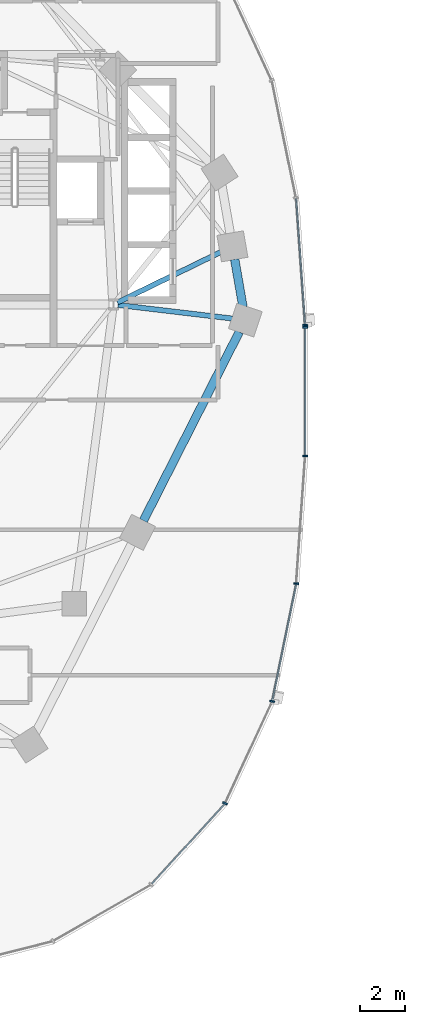
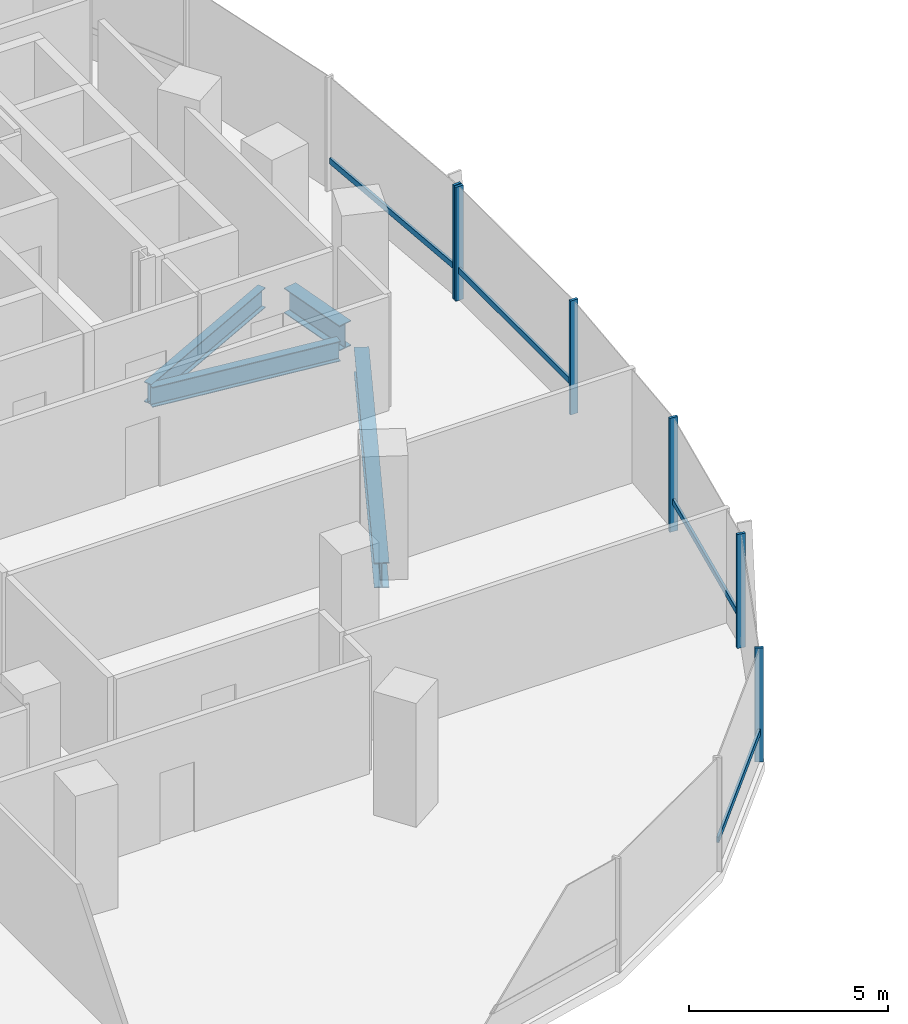
# One storey, part 3 of 22: 10 members, 4 beams, 2 elements without a shape of their own.
"""IFC4 building model written with IfcOpenShell, lengths in metres."""

from ifc_helpers import new_model, si_unit, direction, frame, origin, origin_2d, place, context, subcontext, project, spatial, rectangle, i_section, extrude, material, material_profile, profile_set, type_object, element, aggregate, save


model = new_model("IFC4")

# Units and contexts
model_context = context("Model", 3, precision=1e-05, world=origin(), true_north=direction((0.0, 1.0)))
body_context = subcontext(model_context, "Body", "Model", "MODEL_VIEW")
ifc_project = project(units=[si_unit("LENGTHUNIT", "METRE"), si_unit("AREAUNIT", "SQUARE_METRE"), si_unit("VOLUMEUNIT", "CUBIC_METRE"), si_unit("PLANEANGLEUNIT", "RADIAN"), si_unit("MASSUNIT", "GRAM", prefix="KILO"), si_unit("THERMODYNAMICTEMPERATUREUNIT", "KELVIN"), si_unit("POWERUNIT", "WATT")], contexts=[model_context])

# Site, building, storey
site_placement = place(None, origin())
site = spatial("IfcSite", under=ifc_project, at=site_placement, CompositionType="ELEMENT")
building_placement = place(site_placement, origin())
building = spatial("IfcBuilding", under=site, at=building_placement, Name="Cundina Bronze Exchange", CompositionType="ELEMENT")
storey_placement = place(building_placement, frame((0.0, 0.0, 39.199951171875)))
storey = spatial("IfcBuildingStorey", under=building, at=storey_placement, Name="L09", CompositionType="ELEMENT", Elevation=39.199951171875)

# Beams
ifc_material_1 = material(Name="Steel ASTM A992 Grade 50", Category="steel")
ifc_material_profile_1 = material_profile(ifc_material_1, i_section(OverallWidth=0.22998046875, OverallDepth=0.616943359375, WebThickness=0.01318359375, FlangeThickness=0.022216796875, FilletRadius=0.013916015625, at=origin_2d()), Name="W24X94", Category="steel")
ifc_profile_set_1 = profile_set([ifc_material_profile_1], Name="Steel ASTM A992 Grade 50")
beam_type_1 = type_object("IfcBeamType", Name="BM-FLR-W24B", PredefinedType="BEAM", material=ifc_profile_set_1)
beam_1_placement = place(storey_placement, frame((-21.247314453125, 3.8759765625, -0.6083984375), z_axis=(0.993035236117, -0.117817739878, 0.0), x_axis=(0.117817739878, 0.993035236117, 0.0)))
element("IfcBeam", 1, at=beam_1_placement, inside=storey, type_object=beam_type_1, Name="L09 Leg W Radial Floor Beam 00", PredefinedType="BEAM", context=body_context, shape_type="SweptSolid", body=[
    extrude(i_section(OverallWidth=0.22998046875, OverallDepth=0.616943359375, WebThickness=0.01318359375, FlangeThickness=0.022216796875, FilletRadius=0.013916015625, at=origin_2d()), origin(), (0.0, 0.0, 1.0), 5.1494140625),
])
beam_2_placement = place(storey_placement, frame((-21.2666015625, 3.989501953125, -0.6083984375), z_axis=(0.898610249448, 0.438747785849, 0.0), x_axis=(-0.438747785849, 0.898610249448, 0.0)))
element("IfcBeam", 2, at=beam_2_placement, inside=storey, type_object=beam_type_1, Name="L09 Leg W Radial Floor Beam 01", PredefinedType="BEAM", context=body_context, shape_type="SweptSolid", body=[
    extrude(i_section(OverallWidth=0.22998046875, OverallDepth=0.616943359375, WebThickness=0.01318359375, FlangeThickness=0.022216796875, FilletRadius=0.013916015625, at=origin_2d()), origin(), (0.0, 0.0, 1.0), 5.1337890625),
])
ifc_material_profile_2 = material_profile(ifc_material_1, i_section(OverallWidth=0.381103515625, OverallDepth=0.77294921875, WebThickness=0.0166015625, FlangeThickness=0.027099609375, FilletRadius=0.01904296875, at=origin_2d()), Name="W30X173", Category="steel")
ifc_profile_set_2 = profile_set([ifc_material_profile_2], Name="Steel ASTM A992 Grade 50")
beam_type_2 = type_object("IfcBeamType", Name="BM-RING-W30", PredefinedType="USERDEFINED", material=ifc_profile_set_2)
beam_3_placement = place(storey_placement, frame((-15.65087890625, 3.779296875, -0.6865234375), z_axis=(-0.171734584051, 0.985143254883, 0.0), x_axis=(-0.985143254883, -0.171734584051, 0.0)))
element("IfcBeam", 3, at=beam_3_placement, inside=storey, type_object=beam_type_2, Name="L09 W Perimeter Ring Girder 00", ObjectType="GIRDER", PredefinedType="USERDEFINED", context=body_context, shape_type="SweptSolid", body=[
    extrude(i_section(OverallWidth=0.381103515625, OverallDepth=0.77294921875, WebThickness=0.0166015625, FlangeThickness=0.027099609375, FilletRadius=0.01904296875, at=origin_2d()), origin(), (0.0, 0.0, 1.0), 2.173583984375),
])
beam_4_placement = place(storey_placement, frame((-20.108642578125, -5.775634765625, -0.6865234375), z_axis=(0.452819633606, 0.891602141889, 0.0), x_axis=(-0.891602141889, 0.452819633606, 0.0)))
element("IfcBeam", 4, at=beam_4_placement, inside=storey, type_object=beam_type_2, Name="L09 W Perimeter Ring Girder 13", ObjectType="GIRDER", PredefinedType="USERDEFINED", context=body_context, shape_type="SweptSolid", body=[
    extrude(i_section(OverallWidth=0.381103515625, OverallDepth=0.77294921875, WebThickness=0.0166015625, FlangeThickness=0.027099609375, FilletRadius=0.01904296875, at=origin_2d()), origin(), (0.0, 0.0, 1.0), 9.47900390625),
])

# Curtain wall, member
ifc_material_2 = material(Name="Anodised Bronze Aluminium 6063-T6", Category="aluminium")
curtain_wall_type = type_object("IfcCurtainWallType", Name="CWS-TRD-LOW", PredefinedType="NOTDEFINED", material=ifc_material_2)
curtain_wall_1_placement = place(storey_placement, origin())
curtain_wall_1 = element("IfcCurtainWall", 5, at=curtain_wall_1_placement, inside=storey, type_object=curtain_wall_type, Name="L09 CW-02 Curtain Wall Run CWR-L09-W1", PredefinedType="NOTDEFINED")
ifc_material_profile_3 = material_profile(ifc_material_2, rectangle(XDim=0.074951171875, YDim=0.219970703125, at=origin_2d()), Name="AL75X220", Category="aluminium")
ifc_profile_set_3 = profile_set([ifc_material_profile_3], Name="Anodised Bronze Aluminium 6063-T6")
member_type_1 = type_object("IfcMemberType", Name="CWM-MUL-220", PredefinedType="MULLION", material=ifc_profile_set_3)
member_1_placement = place(storey_placement, frame((-12.87548828125, 2.976318359375, 0.0), z_axis=(0.0, 0.0, 1.0), x_axis=(-0.070278787473, 0.997527389113, 0.0)))
member_1 = element("IfcMember", 6, at=member_1_placement, type_object=member_type_1, Name="CW-02 Mullion 1", PredefinedType="MULLION", context=body_context, shape_type="SweptSolid", body=[
    extrude(rectangle(XDim=0.074951171875, YDim=0.219970703125, at=origin_2d()), origin(), (0.0, 0.0, 1.0), 3.5),
])

# Curtain wall, members
curtain_wall_2_placement = place(storey_placement, origin())
curtain_wall_2 = element("IfcCurtainWall", 7, at=curtain_wall_2_placement, inside=storey, type_object=curtain_wall_type, Name="L09 CW-02 Curtain Wall Run CWR-L09-W4", PredefinedType="NOTDEFINED")
member_2_placement = place(storey_placement, frame((-16.455810546875, -18.423583984375, 0.0), z_axis=(0.0, 0.0, 1.0), x_axis=(0.42087749791, 0.907117485088, 0.0)))
member_2 = element("IfcMember", 8, at=member_2_placement, type_object=member_type_1, Name="CW-02 Mullion 4", PredefinedType="MULLION", context=body_context, shape_type="SweptSolid", body=[
    extrude(rectangle(XDim=0.074951171875, YDim=0.219970703125, at=origin_2d()), origin(), (0.0, 0.0, 1.0), 3.5),
])
member_3_placement = place(storey_placement, frame((-14.348876953125, -13.861328125, 0.0), z_axis=(0.0, 0.0, 1.0), x_axis=(0.201419845156, 0.979505000486, 0.0)))
member_3 = element("IfcMember", 9, at=member_3_placement, type_object=member_type_1, Name="CW-02 Mullion 5", PredefinedType="MULLION", context=body_context, shape_type="SweptSolid", body=[
    extrude(rectangle(XDim=0.074951171875, YDim=0.219970703125, at=origin_2d()), origin(), (0.0, 0.0, 1.0), 3.5),
])
member_4_placement = place(storey_placement, frame((-13.27099609375, -8.591552734375, 0.0), z_axis=(0.0, 0.0, 1.0), x_axis=(0.070278787473, 0.997527389113, 0.0)))
member_4 = element("IfcMember", 10, at=member_4_placement, type_object=member_type_1, Name="CW-02 Mullion 6", PredefinedType="MULLION", context=body_context, shape_type="SweptSolid", body=[
    extrude(rectangle(XDim=0.074951171875, YDim=0.219970703125, at=origin_2d()), origin(), (0.0, 0.0, 1.0), 3.5),
])
member_5_placement = place(storey_placement, frame((-12.8720703125, -2.880615234375, 0.0), z_axis=(0.0, 0.0, 1.0), x_axis=(0.0, 1.0, 0.0)))
member_5 = element("IfcMember", 11, at=member_5_placement, type_object=member_type_1, Name="CW-02 Mullion 7", PredefinedType="MULLION", context=body_context, shape_type="SweptSolid", body=[
    extrude(rectangle(XDim=0.074951171875, YDim=0.219970703125, at=origin_2d()), origin(), (0.0, 0.0, 1.0), 3.5),
])
member_6_placement = place(storey_placement, frame((-12.8720703125, 2.880615234375, 0.0), z_axis=(0.0, 0.0, 1.0), x_axis=(0.0, 1.0, 0.0)))
member_6 = element("IfcMember", 12, at=member_6_placement, type_object=member_type_1, Name="CW-02 End Mullion", PredefinedType="MULLION", context=body_context, shape_type="SweptSolid", body=[
    extrude(rectangle(XDim=0.074951171875, YDim=0.219970703125, at=origin_2d()), origin(), (0.0, 0.0, 1.0), 3.5),
])

# Member
ifc_material_profile_4 = material_profile(ifc_material_2, rectangle(XDim=0.070068359375, YDim=0.179931640625, at=origin_2d()), Name="AL70X180", Category="aluminium")
ifc_profile_set_4 = profile_set([ifc_material_profile_4], Name="Anodised Bronze Aluminium 6063-T6")
member_type_2 = type_object("IfcMemberType", Name="CWM-TRN-180", PredefinedType="USERDEFINED", material=ifc_profile_set_4)
member_7_placement = place(storey_placement, frame((-12.87841796875, 3.017333984375, 0.920166015625), z_axis=(-0.070260714471, 0.997528662246, 0.0), x_axis=(-0.997528662246, -0.070260714471, 0.0)))
member_7 = element("IfcMember", 13, at=member_7_placement, type_object=member_type_2, Name="CW-02 Spandrel Transom 1", ObjectType="TRANSOM", PredefinedType="USERDEFINED", context=body_context, shape_type="SweptSolid", body=[
    extrude(rectangle(XDim=0.070068359375, YDim=0.179931640625, at=origin_2d()), origin(), (0.0, 0.0, 1.0), 5.629150390625),
])

aggregate(curtain_wall_1, [member_1, member_7])

member_8_placement = place(storey_placement, frame((-19.73291015625, -22.027099609375, 0.920166015625), z_axis=(0.674302794847, 0.738454968743, 0.0), x_axis=(-0.738454968743, 0.674302794847, 0.0)))
member_8 = element("IfcMember", 14, at=member_8_placement, type_object=member_type_2, Name="CW-02 Spandrel Transom 3", ObjectType="TRANSOM", PredefinedType="USERDEFINED", context=body_context, shape_type="SweptSolid", body=[
    extrude(rectangle(XDim=0.070068359375, YDim=0.179931640625, at=origin_2d()), origin(), (0.0, 0.0, 1.0), 4.848388671875),
])

member_9_placement = place(storey_placement, frame((-14.340576171875, -13.821044921875, 0.920166015625), z_axis=(0.201427712708, 0.979503382615, 0.0), x_axis=(-0.979503382615, 0.201427712708, 0.0)))
member_9 = element("IfcMember", 15, at=member_9_placement, type_object=member_type_2, Name="CW-02 Spandrel Transom 5", ObjectType="TRANSOM", PredefinedType="USERDEFINED", context=body_context, shape_type="SweptSolid", body=[
    extrude(rectangle(XDim=0.070068359375, YDim=0.179931640625, at=origin_2d()), origin(), (0.0, 0.0, 1.0), 5.291748046875),
])

member_10_placement = place(storey_placement, frame((-12.8720703125, -2.839111328125, 0.920166015625), z_axis=(0.0, 1.0, 0.0), x_axis=(-1.0, 0.0, 0.0)))
member_10 = element("IfcMember", 16, at=member_10_placement, type_object=member_type_2, Name="CW-02 Spandrel Transom 7", ObjectType="TRANSOM", PredefinedType="USERDEFINED", context=body_context, shape_type="SweptSolid", body=[
    extrude(rectangle(XDim=0.070068359375, YDim=0.179931640625, at=origin_2d()), origin(), (0.0, 0.0, 1.0), 5.67822265625),
])

aggregate(curtain_wall_2, [member_8, member_2, member_3, member_9, member_4, member_5, member_6, member_10])

save(model, "model.ifc")
